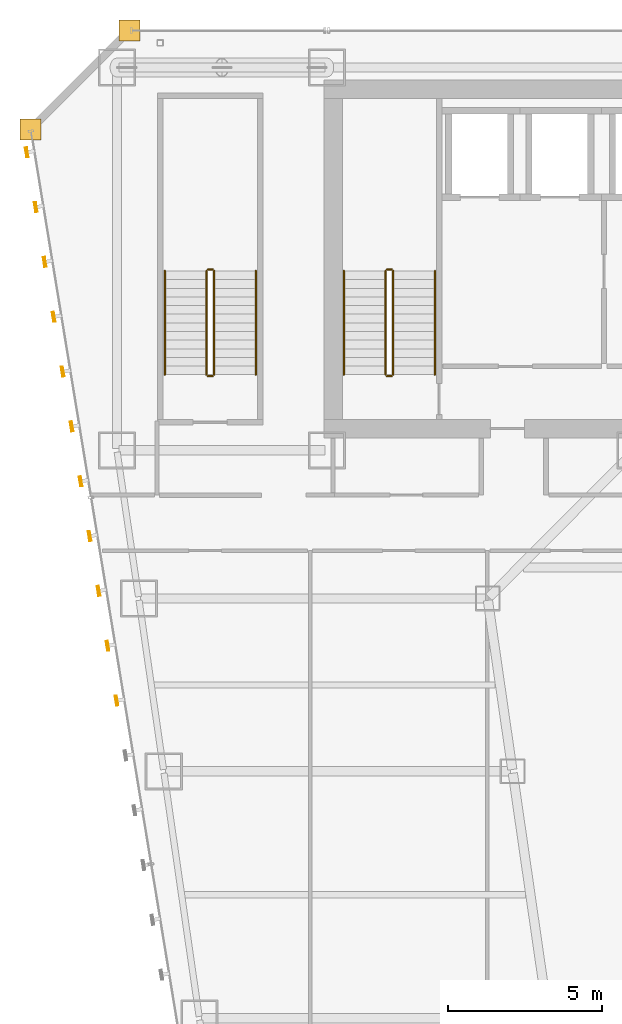
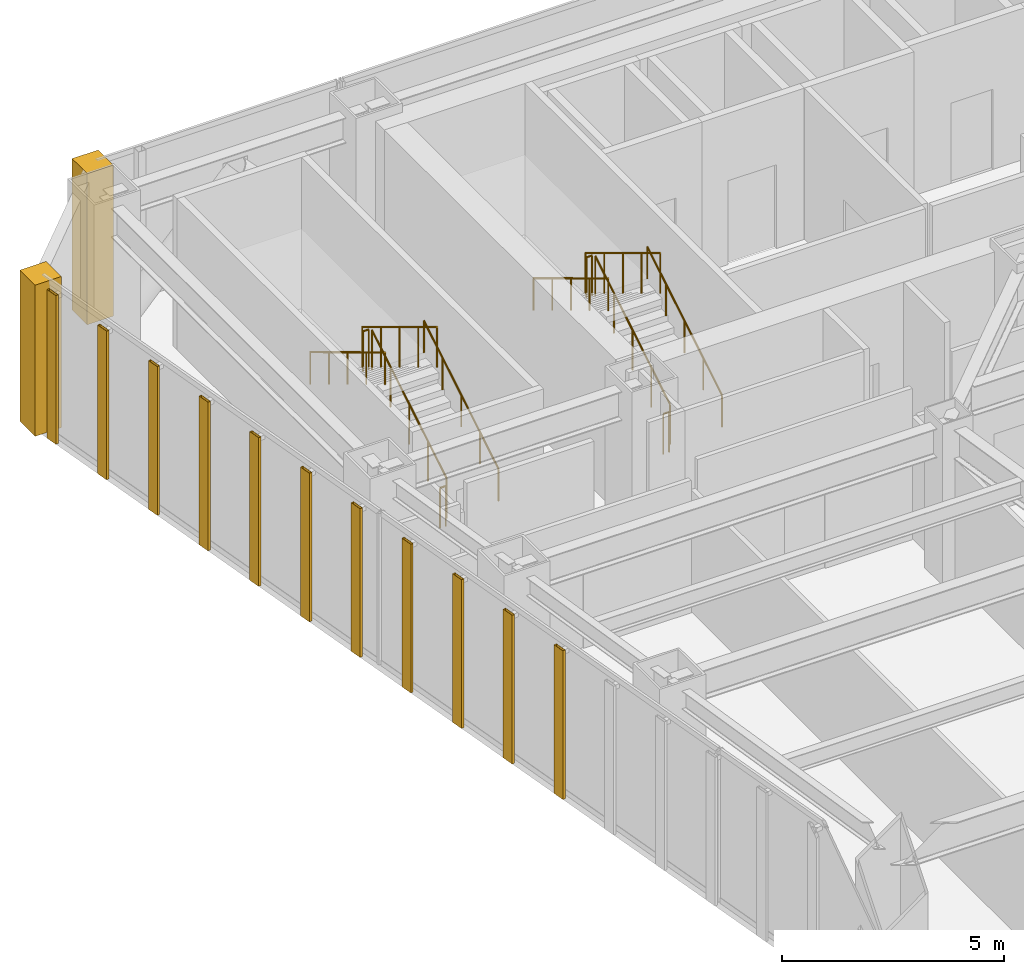
# One storey, part 46 of 47: 12 railings, 11 shading devices, 2 coverings.
"""IFC4 building model written with IfcOpenShell, lengths in metres."""

from ifc_helpers import new_model, si_unit, direction, frame, origin, origin_2d, place, context, subcontext, project, spatial, polyline, hollow_rectangle, circle, outline, extrude, material, layer, layer_set, material_profile, profile_set, type_object, element, save


model = new_model("IFC4")

# Units and contexts
model_context = context("Model", 3, precision=1e-05, world=origin(), true_north=direction((0.0, 1.0)))
body_context = subcontext(model_context, "Body", "Model", "MODEL_VIEW")
ifc_project = project(units=[si_unit("LENGTHUNIT", "METRE"), si_unit("AREAUNIT", "SQUARE_METRE"), si_unit("VOLUMEUNIT", "CUBIC_METRE"), si_unit("PLANEANGLEUNIT", "RADIAN"), si_unit("MASSUNIT", "GRAM", prefix="KILO")], contexts=[model_context])

# Site, building, storey
site_placement = place(None, origin())
site = spatial("IfcSite", under=ifc_project, at=site_placement, CompositionType="ELEMENT")
building_placement = place(site_placement, origin())
building = spatial("IfcBuilding", under=site, at=building_placement, Name="Saevonmaru Cultural Tower", CompositionType="ELEMENT")
storey_placement = place(building_placement, frame((0.0, 0.0, 47.199951171875)))
storey = spatial("IfcBuildingStorey", under=building, at=storey_placement, Name="L09", CompositionType="ELEMENT", Elevation=47.199951171875)

# Coverings
ifc_material_1 = material(Name="Satin Bronze Anodised Aluminium", Category="aluminium")
ifc_layer = layer(ifc_material_1, 0.679931640625, Name="Satin Bronze Anodised Aluminium")
ifc_layer_set = layer_set([ifc_layer], Name="Satin Bronze Anodised Aluminium")
covering_type = type_object("IfcCoveringType", Name="CV-CORNER-CLAD", PredefinedType="CLADDING", material=ifc_layer_set)
covering_1_placement = place(storey_placement, origin())
element("IfcCovering", 1, at=covering_1_placement, inside=storey, type_object=covering_type, Name="L09 Tower Bronze Corner Cladding Pier 11", PredefinedType="CLADDING", context=body_context, shape_type="SweptSolid", body=[
    extrude(outline(polyline([(6.860107421875, 55.659912109375), (7.5400390625, 55.659912109375), (7.5400390625, 56.340087890625), (6.860107421875, 56.340087890625), (6.860107421875, 55.659912109375)])), origin(), (0.0, 0.0, 1.0), 4.150146484375),
])
covering_2_placement = place(storey_placement, origin())
element("IfcCovering", 2, at=covering_2_placement, inside=storey, type_object=covering_type, Name="L09 Tower Bronze Corner Cladding Pier 12", PredefinedType="CLADDING", context=body_context, shape_type="SweptSolid", body=[
    extrude(outline(polyline([(3.659912109375, 52.4599609375), (4.340087890625, 52.4599609375), (4.340087890625, 53.139892578125), (3.659912109375, 53.139892578125), (3.659912109375, 52.4599609375)])), origin(), (0.0, 0.0, 1.0), 4.150146484375),
])

# Railings
ifc_material_2 = material(Name="Architectural Painted Steel", Category="steel")
railing_type_1 = type_object("IfcRailingType", Name="RL-STAIR-GUARD", PredefinedType="GUARDRAIL", material=ifc_material_2)
railing_1_placement = place(storey_placement, frame((15.75, 44.85009765625, 0.169189453125)))
element("IfcRailing", 3, at=railing_1_placement, inside=storey, type_object=railing_type_1, Name="L09 ST-1 stair guard 1", PredefinedType="GUARDRAIL", context=body_context, shape_type="SweptSolid", body=[
    extrude(circle(Radius=0.02392578125, at=origin_2d()), frame((0.0, 0.0, 1.09619140625), z_axis=(0.0, 0.855820338506, 0.51727318527), x_axis=(-1.0, 0.0, 0.0)), (0.0, 0.0, 1.0), 3.92578125),
    extrude(circle(Radius=0.02099609375, at=origin_2d()), origin(), (0.0, 0.0, 1.0), 1.072021484375),
    extrude(circle(Radius=0.02099609375, at=origin_2d()), frame((0.0, 0.83984375, 0.5078125)), (0.0, 0.0, 1.0), 1.072021484375),
    extrude(circle(Radius=0.02099609375, at=origin_2d()), frame((0.0, 1.679931640625, 1.015380859375)), (0.0, 0.0, 1.0), 1.072021484375),
    extrude(circle(Radius=0.02099609375, at=origin_2d()), frame((0.0, 2.52001953125, 1.52294921875)), (0.0, 0.0, 1.0), 1.072021484375),
    extrude(circle(Radius=0.02099609375, at=origin_2d()), frame((0.0, 3.35986328125, 2.03076171875)), (0.0, 0.0, 1.0), 1.072021484375),
])
railing_2_placement = place(storey_placement, frame((15.699951171875, 48.260009765625, 2.199951171875)))
element("IfcRailing", 4, at=railing_2_placement, inside=storey, type_object=railing_type_1, Name="L09 ST-1 stair guard 2", PredefinedType="GUARDRAIL", context=body_context, shape_type="SweptSolid", body=[
    extrude(circle(Radius=0.02392578125, at=origin_2d()), frame((0.0, 0.0, 1.09619140625), z_axis=(-1.0, 0.0, 0.0), x_axis=(0.0, -1.0, 0.0)), (0.0, 0.0, 1.0), 0.14990234375),
    extrude(circle(Radius=0.02099609375, at=origin_2d()), origin(), (0.0, 0.0, 1.0), 1.072021484375),
    extrude(circle(Radius=0.02099609375, at=origin_2d()), frame((-0.14990234375, 0.0, 0.0)), (0.0, 0.0, 1.0), 1.072021484375),
])
railing_3_placement = place(storey_placement, frame((15.5, 48.2099609375, 2.369384765625)))
element("IfcRailing", 5, at=railing_3_placement, inside=storey, type_object=railing_type_1, Name="L09 ST-1 stair guard 3", PredefinedType="GUARDRAIL", context=body_context, shape_type="SweptSolid", body=[
    extrude(circle(Radius=0.02392578125, at=origin_2d()), frame((0.0, 0.0, 1.09619140625), z_axis=(0.0, -0.855820338506, 0.51727318527), x_axis=(1.0, 0.0, 0.0)), (0.0, 0.0, 1.0), 3.92578125),
    extrude(circle(Radius=0.02099609375, at=origin_2d()), origin(), (0.0, 0.0, 1.0), 1.072021484375),
    extrude(circle(Radius=0.02099609375, at=origin_2d()), frame((0.0, -0.83984375, 0.5078125)), (0.0, 0.0, 1.0), 1.072021484375),
    extrude(circle(Radius=0.02099609375, at=origin_2d()), frame((0.0, -1.679931640625, 1.015380859375)), (0.0, 0.0, 1.0), 1.072021484375),
    extrude(circle(Radius=0.02099609375, at=origin_2d()), frame((0.0, -2.52001953125, 1.52294921875)), (0.0, 0.0, 1.0), 1.072021484375),
    extrude(circle(Radius=0.02099609375, at=origin_2d()), frame((0.0, -3.35986328125, 2.03076171875)), (0.0, 0.0, 1.0), 1.072021484375),
])
railing_4_placement = place(storey_placement, frame((15.699951171875, 44.800048828125, 0.0)))
element("IfcRailing", 6, at=railing_4_placement, inside=storey, type_object=railing_type_1, Name="L09 ST-1 stair guard 4", PredefinedType="GUARDRAIL", context=body_context, shape_type="SweptSolid", body=[
    extrude(circle(Radius=0.02392578125, at=origin_2d()), frame((0.0, 0.0, 1.09619140625), z_axis=(-1.0, 0.0, 0.0), x_axis=(0.0, -1.0, 0.0)), (0.0, 0.0, 1.0), 0.14990234375),
    extrude(circle(Radius=0.02099609375, at=origin_2d()), origin(), (0.0, 0.0, 1.0), 1.072021484375),
    extrude(circle(Radius=0.02099609375, at=origin_2d()), frame((-0.14990234375, 0.0, 0.0)), (0.0, 0.0, 1.0), 1.072021484375),
])
railing_5_placement = place(storey_placement, frame((9.949951171875, 44.85009765625, 0.169189453125)))
element("IfcRailing", 7, at=railing_5_placement, inside=storey, type_object=railing_type_1, Name="L09 ST-3 stair guard 1", PredefinedType="GUARDRAIL", context=body_context, shape_type="SweptSolid", body=[
    extrude(circle(Radius=0.02392578125, at=origin_2d()), frame((0.0, 0.0, 1.09619140625), z_axis=(0.0, 0.855820338506, 0.51727318527), x_axis=(-1.0, 0.0, 0.0)), (0.0, 0.0, 1.0), 3.92578125),
    extrude(circle(Radius=0.02099609375, at=origin_2d()), origin(), (0.0, 0.0, 1.0), 1.072021484375),
    extrude(circle(Radius=0.02099609375, at=origin_2d()), frame((0.0, 0.83984375, 0.5078125)), (0.0, 0.0, 1.0), 1.072021484375),
    extrude(circle(Radius=0.02099609375, at=origin_2d()), frame((0.0, 1.679931640625, 1.015380859375)), (0.0, 0.0, 1.0), 1.072021484375),
    extrude(circle(Radius=0.02099609375, at=origin_2d()), frame((0.0, 2.52001953125, 1.52294921875)), (0.0, 0.0, 1.0), 1.072021484375),
    extrude(circle(Radius=0.02099609375, at=origin_2d()), frame((0.0, 3.35986328125, 2.03076171875)), (0.0, 0.0, 1.0), 1.072021484375),
])
railing_6_placement = place(storey_placement, frame((9.89990234375, 48.260009765625, 2.199951171875)))
element("IfcRailing", 8, at=railing_6_placement, inside=storey, type_object=railing_type_1, Name="L09 ST-3 stair guard 2", PredefinedType="GUARDRAIL", context=body_context, shape_type="SweptSolid", body=[
    extrude(circle(Radius=0.02392578125, at=origin_2d()), frame((0.0, 0.0, 1.09619140625), z_axis=(-1.0, 0.0, 0.0), x_axis=(0.0, -1.0, 0.0)), (0.0, 0.0, 1.0), 0.14990234375),
    extrude(circle(Radius=0.02099609375, at=origin_2d()), origin(), (0.0, 0.0, 1.0), 1.072021484375),
    extrude(circle(Radius=0.02099609375, at=origin_2d()), frame((-0.14990234375, 0.0, 0.0)), (0.0, 0.0, 1.0), 1.072021484375),
])
railing_7_placement = place(storey_placement, frame((9.699951171875, 48.2099609375, 2.369384765625)))
element("IfcRailing", 9, at=railing_7_placement, inside=storey, type_object=railing_type_1, Name="L09 ST-3 stair guard 3", PredefinedType="GUARDRAIL", context=body_context, shape_type="SweptSolid", body=[
    extrude(circle(Radius=0.02392578125, at=origin_2d()), frame((0.0, 0.0, 1.09619140625), z_axis=(0.0, -0.855820338506, 0.51727318527), x_axis=(1.0, 0.0, 0.0)), (0.0, 0.0, 1.0), 3.92578125),
    extrude(circle(Radius=0.02099609375, at=origin_2d()), origin(), (0.0, 0.0, 1.0), 1.072021484375),
    extrude(circle(Radius=0.02099609375, at=origin_2d()), frame((0.0, -0.83984375, 0.5078125)), (0.0, 0.0, 1.0), 1.072021484375),
    extrude(circle(Radius=0.02099609375, at=origin_2d()), frame((0.0, -1.679931640625, 1.015380859375)), (0.0, 0.0, 1.0), 1.072021484375),
    extrude(circle(Radius=0.02099609375, at=origin_2d()), frame((0.0, -2.52001953125, 1.52294921875)), (0.0, 0.0, 1.0), 1.072021484375),
    extrude(circle(Radius=0.02099609375, at=origin_2d()), frame((0.0, -3.35986328125, 2.03076171875)), (0.0, 0.0, 1.0), 1.072021484375),
])
railing_8_placement = place(storey_placement, frame((9.89990234375, 44.800048828125, 0.0)))
element("IfcRailing", 10, at=railing_8_placement, inside=storey, type_object=railing_type_1, Name="L09 ST-3 stair guard 4", PredefinedType="GUARDRAIL", context=body_context, shape_type="SweptSolid", body=[
    extrude(circle(Radius=0.02392578125, at=origin_2d()), frame((0.0, 0.0, 1.09619140625), z_axis=(-1.0, 0.0, 0.0), x_axis=(0.0, -1.0, 0.0)), (0.0, 0.0, 1.0), 0.14990234375),
    extrude(circle(Radius=0.02099609375, at=origin_2d()), origin(), (0.0, 0.0, 1.0), 1.072021484375),
    extrude(circle(Radius=0.02099609375, at=origin_2d()), frame((-0.14990234375, 0.0, 0.0)), (0.0, 0.0, 1.0), 1.072021484375),
])
railing_type_2 = type_object("IfcRailingType", Name="RL-STAIR-HANDRAIL", PredefinedType="HANDRAIL", material=ifc_material_1)
railing_9_placement = place(storey_placement, frame((17.10009765625, 44.85009765625, 0.169189453125)))
element("IfcRailing", 11, at=railing_9_placement, inside=storey, type_object=railing_type_2, Name="L09 ST-1 stair handrail 1", PredefinedType="HANDRAIL", context=body_context, shape_type="SweptSolid", body=[
    extrude(circle(Radius=0.02392578125, at=origin_2d()), frame((0.0, 0.0, 0.8759765625), z_axis=(0.0, 0.855820338506, 0.51727318527), x_axis=(-1.0, 0.0, 0.0)), (0.0, 0.0, 1.0), 3.92578125),
    extrude(circle(Radius=0.02099609375, at=origin_2d()), origin(), (0.0, 0.0, 1.0), 0.851806640625),
    extrude(circle(Radius=0.02099609375, at=origin_2d()), frame((0.0, 0.83984375, 0.5078125)), (0.0, 0.0, 1.0), 0.851806640625),
    extrude(circle(Radius=0.02099609375, at=origin_2d()), frame((0.0, 1.679931640625, 1.015380859375)), (0.0, 0.0, 1.0), 0.851806640625),
    extrude(circle(Radius=0.02099609375, at=origin_2d()), frame((0.0, 2.52001953125, 1.52294921875)), (0.0, 0.0, 1.0), 0.851806640625),
    extrude(circle(Radius=0.02099609375, at=origin_2d()), frame((0.0, 3.35986328125, 2.03076171875)), (0.0, 0.0, 1.0), 0.851806640625),
])
railing_10_placement = place(storey_placement, frame((14.14990234375, 48.2099609375, 2.369384765625)))
element("IfcRailing", 12, at=railing_10_placement, inside=storey, type_object=railing_type_2, Name="L09 ST-1 stair handrail 2", PredefinedType="HANDRAIL", context=body_context, shape_type="SweptSolid", body=[
    extrude(circle(Radius=0.02392578125, at=origin_2d()), frame((0.0, 0.0, 0.8759765625), z_axis=(0.0, -0.855820338506, 0.51727318527), x_axis=(1.0, 0.0, 0.0)), (0.0, 0.0, 1.0), 3.92578125),
    extrude(circle(Radius=0.02099609375, at=origin_2d()), origin(), (0.0, 0.0, 1.0), 0.851806640625),
    extrude(circle(Radius=0.02099609375, at=origin_2d()), frame((0.0, -0.83984375, 0.5078125)), (0.0, 0.0, 1.0), 0.851806640625),
    extrude(circle(Radius=0.02099609375, at=origin_2d()), frame((0.0, -1.679931640625, 1.015380859375)), (0.0, 0.0, 1.0), 0.851806640625),
    extrude(circle(Radius=0.02099609375, at=origin_2d()), frame((0.0, -2.52001953125, 1.52294921875)), (0.0, 0.0, 1.0), 0.851806640625),
    extrude(circle(Radius=0.02099609375, at=origin_2d()), frame((0.0, -3.35986328125, 2.03076171875)), (0.0, 0.0, 1.0), 0.851806640625),
])
railing_11_placement = place(storey_placement, frame((11.300048828125, 44.85009765625, 0.169189453125)))
element("IfcRailing", 13, at=railing_11_placement, inside=storey, type_object=railing_type_2, Name="L09 ST-3 stair handrail 1", PredefinedType="HANDRAIL", context=body_context, shape_type="SweptSolid", body=[
    extrude(circle(Radius=0.02392578125, at=origin_2d()), frame((0.0, 0.0, 0.8759765625), z_axis=(0.0, 0.855820338506, 0.51727318527), x_axis=(-1.0, 0.0, 0.0)), (0.0, 0.0, 1.0), 3.92578125),
    extrude(circle(Radius=0.02099609375, at=origin_2d()), origin(), (0.0, 0.0, 1.0), 0.851806640625),
    extrude(circle(Radius=0.02099609375, at=origin_2d()), frame((0.0, 0.83984375, 0.5078125)), (0.0, 0.0, 1.0), 0.851806640625),
    extrude(circle(Radius=0.02099609375, at=origin_2d()), frame((0.0, 1.679931640625, 1.015380859375)), (0.0, 0.0, 1.0), 0.851806640625),
    extrude(circle(Radius=0.02099609375, at=origin_2d()), frame((0.0, 2.52001953125, 1.52294921875)), (0.0, 0.0, 1.0), 0.851806640625),
    extrude(circle(Radius=0.02099609375, at=origin_2d()), frame((0.0, 3.35986328125, 2.03076171875)), (0.0, 0.0, 1.0), 0.851806640625),
])
railing_12_placement = place(storey_placement, frame((8.35009765625, 48.2099609375, 2.369384765625)))
element("IfcRailing", 14, at=railing_12_placement, inside=storey, type_object=railing_type_2, Name="L09 ST-3 stair handrail 2", PredefinedType="HANDRAIL", context=body_context, shape_type="SweptSolid", body=[
    extrude(circle(Radius=0.02392578125, at=origin_2d()), frame((0.0, 0.0, 0.8759765625), z_axis=(0.0, -0.855820338506, 0.51727318527), x_axis=(1.0, 0.0, 0.0)), (0.0, 0.0, 1.0), 3.92578125),
    extrude(circle(Radius=0.02099609375, at=origin_2d()), origin(), (0.0, 0.0, 1.0), 0.851806640625),
    extrude(circle(Radius=0.02099609375, at=origin_2d()), frame((0.0, -0.83984375, 0.5078125)), (0.0, 0.0, 1.0), 0.851806640625),
    extrude(circle(Radius=0.02099609375, at=origin_2d()), frame((0.0, -1.679931640625, 1.015380859375)), (0.0, 0.0, 1.0), 0.851806640625),
    extrude(circle(Radius=0.02099609375, at=origin_2d()), frame((0.0, -2.52001953125, 1.52294921875)), (0.0, 0.0, 1.0), 0.851806640625),
    extrude(circle(Radius=0.02099609375, at=origin_2d()), frame((0.0, -3.35986328125, 2.03076171875)), (0.0, 0.0, 1.0), 0.851806640625),
])

# Shading devices
ifc_material_profile = material_profile(ifc_material_1, hollow_rectangle(XDim=0.070068359375, YDim=0.320068359375, WallThickness=0.0048828125, at=origin_2d()), Name="FIN-320x70")
ifc_profile_set = profile_set([ifc_material_profile], Name="Satin Bronze Anodised Aluminium")
shading_device_type = type_object("IfcShadingDeviceType", Name="SHD-FIN-320", PredefinedType="JALOUSIE", material=ifc_profile_set)
for number, where, z_axis, x_axis, name in (
    (15, (3.879150390625, 52.05322265625, 0.050048828125), (0.0, 0.0, 1.0), (-0.986827496189, -0.161776057456, 0.0), "L09 Art Deco Sawtooth Bronze Fin E12-01"),
    (16, (4.170166015625, 50.27685546875, 0.050048828125), (0.0, 0.0, 1.0), (-0.986827496189, -0.161776057456, 0.0), "L09 Art Deco Sawtooth Bronze Fin E12-02"),
    (17, (4.461181640625, 48.50048828125, 0.050048828125), (0.0, 0.0, 1.0), (-0.986827496189, -0.161776057456, 0.0), "L09 Art Deco Sawtooth Bronze Fin E12-03"),
    (18, (4.75244140625, 46.724365234375, 0.050048828125), (0.0, 0.0, 1.0), (-0.986827496189, -0.161776057456, 0.0), "L09 Art Deco Sawtooth Bronze Fin E12-04"),
    (19, (5.04345703125, 44.947998046875, 0.050048828125), (0.0, 0.0, 1.0), (-0.986827496189, -0.161776057456, 0.0), "L09 Art Deco Sawtooth Bronze Fin E12-05"),
    (20, (5.334716796875, 43.171630859375, 0.050048828125), (0.0, 0.0, 1.0), (-0.986827496189, -0.161776057456, 0.0), "L09 Art Deco Sawtooth Bronze Fin E12-06"),
    (21, (5.62548828125, 41.3955078125, 0.050048828125), (0.0, 0.0, 1.0), (-0.986827496189, -0.161776057456, 0.0), "L09 Art Deco Sawtooth Bronze Fin E12-07"),
    (22, (5.916748046875, 39.618896484375, 0.050048828125), (0.0, 0.0, 1.0), (-0.986827496189, -0.161776057456, 0.0), "L09 Art Deco Sawtooth Bronze Fin E12-08"),
    (23, (6.207763671875, 37.8427734375, 0.050048828125), (0.0, 0.0, 1.0), (-0.986827496189, -0.161776057456, 0.0), "L09 Art Deco Sawtooth Bronze Fin E12-09"),
    (24, (6.498779296875, 36.06640625, 0.050048828125), (0.0, 0.0, 1.0), (-0.986827496189, -0.161776057456, 0.0), "L09 Art Deco Sawtooth Bronze Fin E12-10"),
    (25, (6.789794921875, 34.2900390625, 0.050048828125), (0.0, 0.0, 1.0), (-0.986827496189, -0.161776057456, 0.0), "L09 Art Deco Sawtooth Bronze Fin E12-11"),
):
    element("IfcShadingDevice", number, at=place(storey_placement, frame(where, z_axis=z_axis, x_axis=x_axis)), inside=storey, type_object=shading_device_type, Name=name, PredefinedType="JALOUSIE", context=body_context, shape_type="SweptSolid", body=[
        extrude(hollow_rectangle(XDim=0.070068359375, YDim=0.320068359375, WallThickness=0.0048828125, at=origin_2d()), origin(), (0.0, 0.0, 1.0), 4.080078125),
    ])

save(model, "model.ifc")
